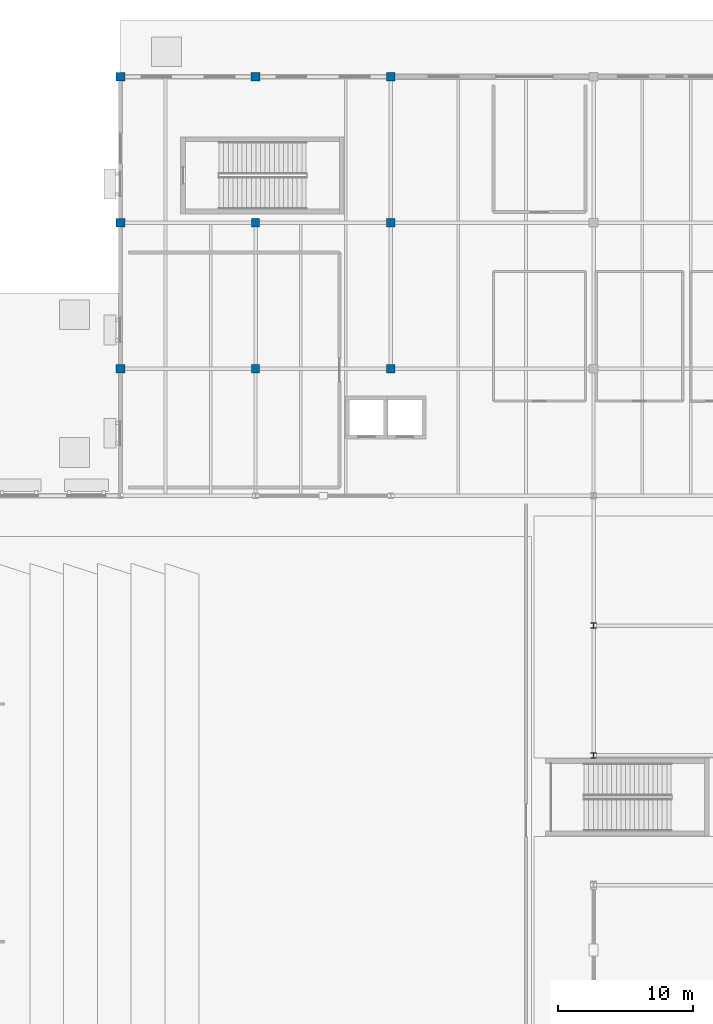
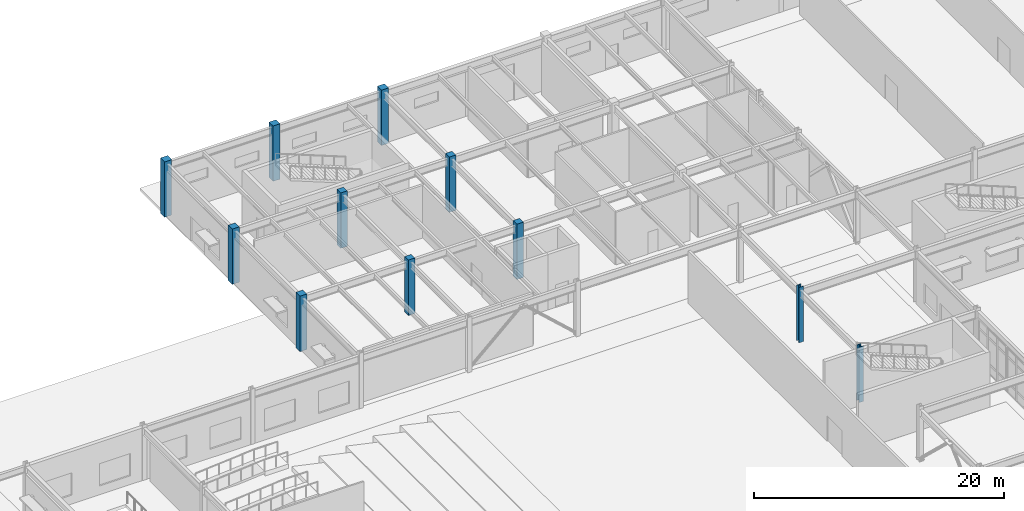
# One storey, part 6 of 54: 11 columns.
"""IFC4 building model written with IfcOpenShell, lengths in metres."""

from ifc_helpers import new_model, si_unit, direction, frame, origin, origin_2d, place, context, subcontext, project, spatial, rectangle, i_section, extrude, material, material_profile, profile_set, type_object, element, save


model = new_model("IFC4")

# Units and contexts
model_context = context("Model", 3, precision=1e-05, world=origin(), true_north=direction((0.0, 1.0)))
body_context = subcontext(model_context, "Body", "Model", "MODEL_VIEW")
ifc_project = project(units=[si_unit("LENGTHUNIT", "METRE"), si_unit("AREAUNIT", "SQUARE_METRE"), si_unit("VOLUMEUNIT", "CUBIC_METRE"), si_unit("PLANEANGLEUNIT", "RADIAN"), si_unit("MASSUNIT", "GRAM", prefix="KILO")], contexts=[model_context])

# Site, building, storey
site_placement = place(None, origin())
site = spatial("IfcSite", under=ifc_project, at=site_placement, CompositionType="ELEMENT")
building_placement = place(site_placement, origin())
building = spatial("IfcBuilding", under=site, at=building_placement, Name="Veldera Park Congress Hotel", CompositionType="ELEMENT")
storey_placement = place(building_placement, origin())
storey = spatial("IfcBuildingStorey", under=building, at=storey_placement, Name="L00", CompositionType="ELEMENT", Elevation=0.0)

# Columns
ifc_material_1 = material(Name="Concrete f'c 40 MPa (5,800 psi)", Category="concrete")
ifc_material_profile_1 = material_profile(ifc_material_1, rectangle(XDim=0.60009765625, YDim=0.60009765625, at=origin_2d()), Name="RC 600x600")
ifc_profile_set_1 = profile_set([ifc_material_profile_1], Name="Concrete f'c 40 MPa (5,800 psi)")
column_type_1 = type_object("IfcColumnType", Name="COL-RC60", PredefinedType="COLUMN", material=ifc_profile_set_1)
for number, where, z_axis, x_axis, name in (
    (1, (-37.39990234375, 36.39990234375, 0.0), (0.0, 0.0, 1.0), (1.0, 0.0, 0.0), "L00 Column COL-RC60 (-37.4,36.4)"),
    (2, (-37.39990234375, 47.199951171875, 0.0), (0.0, 0.0, 1.0), (1.0, 0.0, 0.0), "L00 Column COL-RC60 (-37.4,47.2)"),
    (3, (-27.39990234375, 36.39990234375, 0.0), (0.0, 0.0, 1.0), (1.0, 0.0, 0.0), "L00 Column COL-RC60 (-27.4,36.4)"),
    (4, (-27.39990234375, 47.199951171875, 0.0), (0.0, 0.0, 1.0), (1.0, 0.0, 0.0), "L00 Column COL-RC60 (-27.4,47.2)"),
):
    element("IfcColumn", number, at=place(storey_placement, frame(where, z_axis=z_axis, x_axis=x_axis)), inside=storey, type_object=column_type_1, Name=name, PredefinedType="COLUMN", context=body_context, shape_type="SweptSolid", body=[
        extrude(rectangle(XDim=0.60009765625, YDim=0.60009765625, at=origin_2d()), origin(), (0.0, 0.0, 1.0), 5.39990234375),
    ])
ifc_material_profile_2 = material_profile(ifc_material_1, rectangle(XDim=0.64990234375, YDim=0.64990234375, at=origin_2d()), Name="RC 650x650")
ifc_profile_set_2 = profile_set([ifc_material_profile_2], Name="Concrete f'c 40 MPa (5,800 psi)")
column_type_2 = type_object("IfcColumnType", Name="COL-RC60E", PredefinedType="COLUMN", material=ifc_profile_set_2)
for number, where, z_axis, x_axis, name in (
    (5, (-47.39990234375, 36.39990234375, 0.0), (0.0, 0.0, 1.0), (1.0, 0.0, 0.0), "L00 Column COL-RC60E (-47.4,36.4)"),
    (6, (-47.39990234375, 47.199951171875, 0.0), (0.0, 0.0, 1.0), (1.0, 0.0, 0.0), "L00 Column COL-RC60E (-47.4,47.2)"),
    (7, (-47.39990234375, 58.0, 0.0), (0.0, 0.0, 1.0), (1.0, 0.0, 0.0), "L00 Column COL-RC60E (-47.4,58.0)"),
    (8, (-37.39990234375, 58.0, 0.0), (0.0, 0.0, 1.0), (1.0, 0.0, 0.0), "L00 Column COL-RC60E (-37.4,58.0)"),
    (9, (-27.39990234375, 58.0, 0.0), (0.0, 0.0, 1.0), (1.0, 0.0, 0.0), "L00 Column COL-RC60E (-27.4,58.0)"),
):
    element("IfcColumn", number, at=place(storey_placement, frame(where, z_axis=z_axis, x_axis=x_axis)), inside=storey, type_object=column_type_2, Name=name, PredefinedType="COLUMN", context=body_context, shape_type="SweptSolid", body=[
        extrude(rectangle(XDim=0.64990234375, YDim=0.64990234375, at=origin_2d()), origin(), (0.0, 0.0, 1.0), 5.39990234375),
    ])
ifc_material_2 = material(Name="Steel ASTM A992 Gr.50", Category="steel")
ifc_material_profile_3 = material_profile(ifc_material_2, i_section(OverallWidth=0.404052734375, OverallDepth=0.406982421875, WebThickness=0.027099609375, FlangeThickness=0.043701171875, at=origin_2d()), Name="W14X233")
ifc_profile_set_3 = profile_set([ifc_material_profile_3], Name="Steel ASTM A992 Gr.50")
column_type_3 = type_object("IfcColumnType", Name="COL-STL233", PredefinedType="COLUMN", material=ifc_profile_set_3)
for number, where, z_axis, x_axis, name in (
    (10, (-12.39990234375, 7.800048828125, 0.0), (0.0, 0.0, 1.0), (1.0, 0.0, 0.0), "L00 Column COL-STL233 (-12.4,7.8)"),
    (11, (-12.39990234375, 17.39990234375, 0.0), (0.0, 0.0, 1.0), (1.0, 0.0, 0.0), "L00 Column COL-STL233 (-12.4,17.4)"),
):
    element("IfcColumn", number, at=place(storey_placement, frame(where, z_axis=z_axis, x_axis=x_axis)), inside=storey, type_object=column_type_3, Name=name, PredefinedType="COLUMN", context=body_context, shape_type="SweptSolid", body=[
        extrude(i_section(OverallWidth=0.404052734375, OverallDepth=0.406982421875, WebThickness=0.027099609375, FlangeThickness=0.043701171875, at=origin_2d()), origin(), (0.0, 0.0, 1.0), 5.39990234375),
    ])

save(model, "model.ifc")
